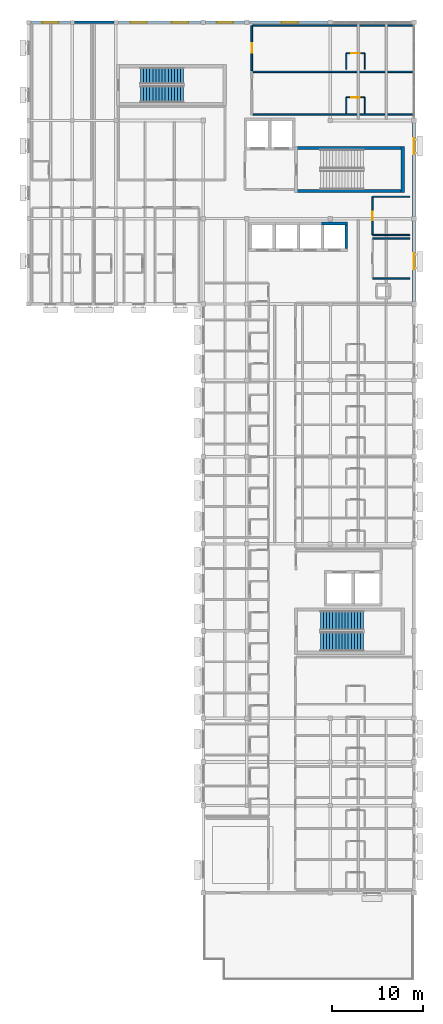
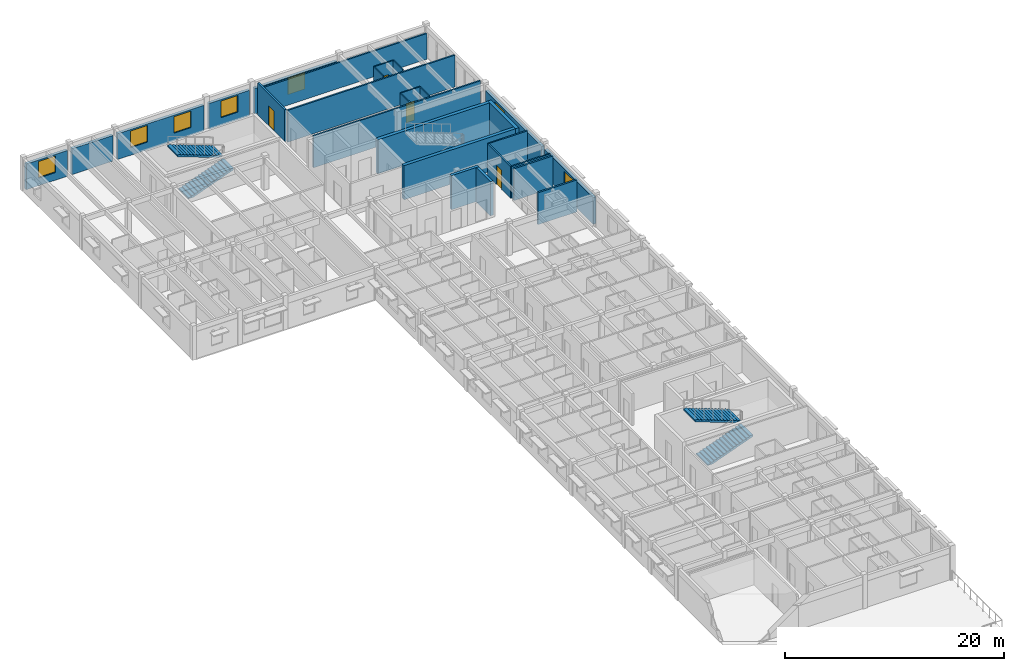
# One storey, part 15 of 22: 27 walls, 7 windows, 4 doors, 4 stair flights, 11 openings, 2 elements without a shape of their own.
"""IFC4 building model written with IfcOpenShell, lengths in metres."""

from ifc_helpers import new_model, si_unit, direction, frame, frame_2d, origin, place, context, subcontext, project, spatial, polyline, rectangle, outline, extrude, material, layer, layer_set, type_object, element, fill, aggregate, save


model = new_model("IFC4")

# Units and contexts
model_context = context("Model", 3, precision=1e-05, world=origin(), true_north=direction((0.0, 1.0)))
body_context = subcontext(model_context, "Body", "Model", "MODEL_VIEW")
ifc_project = project(units=[si_unit("LENGTHUNIT", "METRE"), si_unit("AREAUNIT", "SQUARE_METRE"), si_unit("VOLUMEUNIT", "CUBIC_METRE"), si_unit("PLANEANGLEUNIT", "RADIAN"), si_unit("MASSUNIT", "GRAM", prefix="KILO")], contexts=[model_context])

# Site, building, storey
site_placement = place(None, origin())
site = spatial("IfcSite", under=ifc_project, at=site_placement, CompositionType="ELEMENT")
building_placement = place(site_placement, origin())
building = spatial("IfcBuilding", under=site, at=building_placement, Name="Veldera Park Congress Hotel", CompositionType="ELEMENT")
storey_placement = place(building_placement, frame((0.0, 0.0, 23.800048828125)))
storey = spatial("IfcBuildingStorey", under=building, at=storey_placement, Name="L05", CompositionType="ELEMENT", Elevation=23.800048828125)

# Wall, opening, window
ifc_material_1 = material(Name="Cross-laminated timber CLT V2M1.1", Category="wood")
ifc_layer_1 = layer(ifc_material_1, 0.300048828125)
ifc_layer_set_1 = layer_set([ifc_layer_1], Name="Cross-laminated timber CLT V2M1.1")
wall_type_1 = type_object("IfcWallType", Name="EW-CLT300", PredefinedType="STANDARD", material=ifc_layer_set_1)
wall_1_placement = place(storey_placement, frame((84.0, 27.258056640625, 0.0), z_axis=(0.0, 0.0, 1.0), x_axis=(0.0, 1.0, 0.0)))
wall_1 = element("IfcWall", 1, at=wall_1_placement, inside=storey, type_object=wall_type_1, Name="L05 Exterior Wall EW3-L05-0287", PredefinedType="STANDARD", context=body_context, shape_type="SweptSolid", body=[
    extrude(rectangle(XDim=8.884033203125, YDim=0.300048828125, at=frame_2d((4.44189453125, 0.0))), origin(), (0.0, 0.0, 1.0), 2.96484375),
])
opening_1_placement = place(wall_1_placement, frame((3.5419921875, 0.0, 0.85009765625)))
opening_1 = element("IfcOpeningElement", 2, at=opening_1_placement, cuts=wall_1, Name="Opening WIN-1800", PredefinedType="OPENING", context=body_context, shape_type="SweptSolid", body=[
    extrude(rectangle(XDim=1.800048828125, YDim=1.85009765625, at=frame_2d((0.89990234375, 0.925048828125))), frame((0.0, 0.162109375, 0.0), z_axis=(0.0, -1.0, 0.0), x_axis=(1.0, 0.0, 0.0)), (0.0, 0.0, 1.0), 0.323974609375),
])
ifc_material_2 = material(Name="Low-E Triple Insulating Glass Unit (SHGC 0.22)", Category="glass")
window_type = type_object("IfcWindowType", Name="WIN-1800", PartitioningType="SINGLE_PANEL", PredefinedType="WINDOW", material=ifc_material_2)
window_1_placement = place(opening_1_placement, origin())
window_1 = element("IfcWindow", 3, at=window_1_placement, inside=storey, type_object=window_type, Name="L05 Window WIN-1800 221", OverallHeight=1.85009765625, OverallWidth=1.800048828125, PartitioningType="SINGLE_PANEL", PredefinedType="WINDOW", context=body_context, shape_type="SweptSolid", body=[
    extrude(rectangle(XDim=1.800048828125, YDim=1.85009765625, at=frame_2d((0.89990234375, 0.925048828125))), frame((0.0, 0.030029296875, 0.0), z_axis=(0.0, -1.0, 0.0), x_axis=(1.0, 0.0, 0.0)), (0.0, 0.0, 1.0), 0.06005859375),
])
fill(opening_1, window_1)

wall_2_placement = place(storey_placement, frame((84.0, 36.657958984375, 0.0), z_axis=(0.0, 0.0, 1.0), x_axis=(0.0, 1.0, 0.0)))
wall_2 = element("IfcWall", 4, at=wall_2_placement, inside=storey, type_object=wall_type_1, Name="L05 Exterior Wall EW3-L05-0288", PredefinedType="STANDARD", context=body_context, shape_type="SweptSolid", body=[
    extrude(rectangle(XDim=10.283935546875, YDim=0.300048828125, at=frame_2d((5.14208984375, 0.0))), origin(), (0.0, 0.0, 1.0), 2.96484375),
])
opening_2_placement = place(wall_2_placement, frame((6.81298828125, 0.0, 0.85009765625)))
opening_2 = element("IfcOpeningElement", 5, at=opening_2_placement, cuts=wall_2, Name="Opening WIN-1800", PredefinedType="OPENING", context=body_context, shape_type="SweptSolid", body=[
    extrude(rectangle(XDim=1.800048828125, YDim=1.85009765625, at=frame_2d((0.89990234375, 0.925048828125))), frame((0.0, 0.162109375, 0.0), z_axis=(0.0, -1.0, 0.0), x_axis=(1.0, 0.0, 0.0)), (0.0, 0.0, 1.0), 0.323974609375),
])
window_2_placement = place(opening_2_placement, origin())
window_2 = element("IfcWindow", 6, at=window_2_placement, inside=storey, type_object=window_type, Name="L05 Window WIN-1800 222", OverallHeight=1.85009765625, OverallWidth=1.800048828125, PartitioningType="SINGLE_PANEL", PredefinedType="WINDOW", context=body_context, shape_type="SweptSolid", body=[
    extrude(rectangle(XDim=1.800048828125, YDim=1.85009765625, at=frame_2d((0.89990234375, 0.925048828125))), frame((0.0, 0.030029296875, 0.0), z_axis=(0.0, -1.0, 0.0), x_axis=(1.0, 0.0, 0.0)), (0.0, 0.0, 1.0), 0.06005859375),
])
fill(opening_2, window_2)

wall_3_placement = place(storey_placement, frame((74.5419921875, 58.0, 0.0), z_axis=(0.0, 0.0, 1.0), x_axis=(-1.0, 0.0, 0.0)))
wall_3 = element("IfcWall", 7, at=wall_3_placement, inside=storey, type_object=wall_type_1, Name="L05 Exterior Wall EW3-L05-0289", PredefinedType="STANDARD", context=body_context, shape_type="SweptSolid", body=[
    extrude(rectangle(XDim=8.68408203125, YDim=0.300048828125, at=frame_2d((4.342041015625, 0.0))), origin(), (0.0, 0.0, 1.0), 2.864990234375),
])
opening_3_placement = place(wall_3_placement, frame((3.2958984375, 0.0, 0.85009765625)))
opening_3 = element("IfcOpeningElement", 8, at=opening_3_placement, cuts=wall_3, Name="Opening WIN-1800", PredefinedType="OPENING", context=body_context, shape_type="SweptSolid", body=[
    extrude(rectangle(XDim=1.800048828125, YDim=1.85009765625, at=frame_2d((0.89990234375, 0.925048828125))), frame((0.0, 0.162109375, 0.0), z_axis=(0.0, -1.0, 0.0), x_axis=(1.0, 0.0, 0.0)), (0.0, 0.0, 1.0), 0.323974609375),
])
window_3_placement = place(opening_3_placement, origin())
window_3 = element("IfcWindow", 9, at=window_3_placement, inside=storey, type_object=window_type, Name="L05 Window WIN-1800 508", OverallHeight=1.85009765625, OverallWidth=1.800048828125, PartitioningType="SINGLE_PANEL", PredefinedType="WINDOW", context=body_context, shape_type="SweptSolid", body=[
    extrude(rectangle(XDim=1.800048828125, YDim=1.85009765625, at=frame_2d((0.89990234375, 0.925048828125))), frame((0.0, 0.030029296875, 0.0), z_axis=(0.0, -1.0, 0.0), x_axis=(1.0, 0.0, 0.0)), (0.0, 0.0, 1.0), 0.06005859375),
])
fill(opening_3, window_3)

wall_4_placement = place(storey_placement, frame((65.342041015625, 58.0, 0.0), z_axis=(0.0, 0.0, 1.0), x_axis=(-1.0, 0.0, 0.0)))
wall_4 = element("IfcWall", 10, at=wall_4_placement, inside=storey, type_object=wall_type_1, Name="L05 Exterior Wall EW3-L05-0290", PredefinedType="STANDARD", context=body_context, shape_type="SweptSolid", body=[
    extrude(rectangle(XDim=4.283935546875, YDim=0.300048828125, at=frame_2d((2.14208984375, 0.0))), origin(), (0.0, 0.0, 1.0), 2.864990234375),
])
opening_4_placement = place(wall_4_placement, frame((1.241943359375, 0.0, 0.85009765625)))
opening_4 = element("IfcOpeningElement", 11, at=opening_4_placement, cuts=wall_4, Name="Opening WIN-1800", PredefinedType="OPENING", context=body_context, shape_type="SweptSolid", body=[
    extrude(rectangle(XDim=1.800048828125, YDim=1.85009765625, at=frame_2d((0.89990234375, 0.925048828125))), frame((0.0, 0.162109375, 0.0), z_axis=(0.0, -1.0, 0.0), x_axis=(1.0, 0.0, 0.0)), (0.0, 0.0, 1.0), 0.323974609375),
])
window_4_placement = place(opening_4_placement, origin())
window_4 = element("IfcWindow", 12, at=window_4_placement, inside=storey, type_object=window_type, Name="L05 Window WIN-1800 223", OverallHeight=1.85009765625, OverallWidth=1.800048828125, PartitioningType="SINGLE_PANEL", PredefinedType="WINDOW", context=body_context, shape_type="SweptSolid", body=[
    extrude(rectangle(XDim=1.800048828125, YDim=1.85009765625, at=frame_2d((0.89990234375, 0.925048828125))), frame((0.0, 0.030029296875, 0.0), z_axis=(0.0, -1.0, 0.0), x_axis=(1.0, 0.0, 0.0)), (0.0, 0.0, 1.0), 0.06005859375),
])
fill(opening_4, window_4)

# Wall, openings, windows
wall_5_placement = place(storey_placement, frame((60.5419921875, 58.0, 0.0), z_axis=(0.0, 0.0, 1.0), x_axis=(-1.0, 0.0, 0.0)))
wall_5 = element("IfcWall", 13, at=wall_5_placement, inside=storey, type_object=wall_type_1, Name="L05 Exterior Wall EW3-L05-0291", PredefinedType="STANDARD", context=body_context, shape_type="SweptSolid", body=[
    extrude(rectangle(XDim=9.118896484375, YDim=0.300048828125, at=frame_2d((4.5595703125, 0.0))), origin(), (0.0, 0.0, 1.0), 2.864990234375),
])
opening_5_placement = place(wall_5_placement, frame((1.3798828125, 0.0, 0.85009765625)))
opening_5 = element("IfcOpeningElement", 14, at=opening_5_placement, cuts=wall_5, Name="Opening WIN-1800", PredefinedType="OPENING", context=body_context, shape_type="SweptSolid", body=[
    extrude(rectangle(XDim=1.800048828125, YDim=1.85009765625, at=frame_2d((0.89990234375, 0.925048828125))), frame((0.0, 0.162109375, 0.0), z_axis=(0.0, -1.0, 0.0), x_axis=(1.0, 0.0, 0.0)), (0.0, 0.0, 1.0), 0.323974609375),
])
opening_6_placement = place(wall_5_placement, frame((5.939208984375, 0.0, 0.85009765625)))
opening_6 = element("IfcOpeningElement", 15, at=opening_6_placement, cuts=wall_5, Name="Opening WIN-1800", PredefinedType="OPENING", context=body_context, shape_type="SweptSolid", body=[
    extrude(rectangle(XDim=1.800048828125, YDim=1.85009765625, at=frame_2d((0.89990234375, 0.925048828125))), frame((0.0, 0.162109375, 0.0), z_axis=(0.0, -1.0, 0.0), x_axis=(1.0, 0.0, 0.0)), (0.0, 0.0, 1.0), 0.323974609375),
])
window_5_placement = place(opening_5_placement, origin())
window_5 = element("IfcWindow", 16, at=window_5_placement, inside=storey, type_object=window_type, Name="L05 Window WIN-1800 224", OverallHeight=1.85009765625, OverallWidth=1.800048828125, PartitioningType="SINGLE_PANEL", PredefinedType="WINDOW", context=body_context, shape_type="SweptSolid", body=[
    extrude(rectangle(XDim=1.800048828125, YDim=1.85009765625, at=frame_2d((0.89990234375, 0.925048828125))), frame((0.0, 0.030029296875, 0.0), z_axis=(0.0, -1.0, 0.0), x_axis=(1.0, 0.0, 0.0)), (0.0, 0.0, 1.0), 0.06005859375),
])
fill(opening_5, window_5)
window_6_placement = place(opening_6_placement, origin())
window_6 = element("IfcWindow", 17, at=window_6_placement, inside=storey, type_object=window_type, Name="L05 Window WIN-1800 225", OverallHeight=1.85009765625, OverallWidth=1.800048828125, PartitioningType="SINGLE_PANEL", PredefinedType="WINDOW", context=body_context, shape_type="SweptSolid", body=[
    extrude(rectangle(XDim=1.800048828125, YDim=1.85009765625, at=frame_2d((0.89990234375, 0.925048828125))), frame((0.0, 0.030029296875, 0.0), z_axis=(0.0, -1.0, 0.0), x_axis=(1.0, 0.0, 0.0)), (0.0, 0.0, 1.0), 0.06005859375),
])
fill(opening_6, window_6)

# Wall
wall_6_placement = place(storey_placement, frame((50.97705078125, 58.0, 0.0), z_axis=(0.0, 0.0, 1.0), x_axis=(-1.0, 0.0, 0.0)))
element("IfcWall", 18, at=wall_6_placement, inside=storey, type_object=wall_type_1, Name="L05 Exterior Wall EW3-L05-0292", PredefinedType="STANDARD", context=body_context, shape_type="SweptSolid", body=[
    extrude(rectangle(XDim=4.35400390625, YDim=0.300048828125, at=frame_2d((2.177001953125, 0.0))), origin(), (0.0, 0.0, 1.0), 2.864990234375),
])

# Wall, opening, window
wall_7_placement = place(storey_placement, frame((46.177001953125, 58.0, 0.0), z_axis=(0.0, 0.0, 1.0), x_axis=(-1.0, 0.0, 0.0)))
wall_7 = element("IfcWall", 19, at=wall_7_placement, inside=storey, type_object=wall_type_1, Name="L05 Exterior Wall EW3-L05-0293", PredefinedType="STANDARD", context=body_context, shape_type="SweptSolid", body=[
    extrude(rectangle(XDim=4.35400390625, YDim=0.300048828125, at=frame_2d((2.177001953125, 0.0))), origin(), (0.0, 0.0, 1.0), 2.864990234375),
])
opening_7_placement = place(wall_7_placement, frame((1.277099609375, 0.0, 0.85009765625)))
opening_7 = element("IfcOpeningElement", 20, at=opening_7_placement, cuts=wall_7, Name="Opening WIN-1800", PredefinedType="OPENING", context=body_context, shape_type="SweptSolid", body=[
    extrude(rectangle(XDim=1.800048828125, YDim=1.85009765625, at=frame_2d((0.89990234375, 0.925048828125))), frame((0.0, 0.162109375, 0.0), z_axis=(0.0, -1.0, 0.0), x_axis=(1.0, 0.0, 0.0)), (0.0, 0.0, 1.0), 0.323974609375),
])
window_7_placement = place(opening_7_placement, origin())
window_7 = element("IfcWindow", 21, at=window_7_placement, inside=storey, type_object=window_type, Name="L05 Window WIN-1800 226", OverallHeight=1.85009765625, OverallWidth=1.800048828125, PartitioningType="SINGLE_PANEL", PredefinedType="WINDOW", context=body_context, shape_type="SweptSolid", body=[
    extrude(rectangle(XDim=1.800048828125, YDim=1.85009765625, at=frame_2d((0.89990234375, 0.925048828125))), frame((0.0, 0.030029296875, 0.0), z_axis=(0.0, -1.0, 0.0), x_axis=(1.0, 0.0, 0.0)), (0.0, 0.0, 1.0), 0.06005859375),
])
fill(opening_7, window_7)

# Walls
ifc_material_3 = material(Name="Fire-Rated Gypsum Board on Cold-Formed Steel Studs", Category="steel")
ifc_layer_2 = layer(ifc_material_3, 0.1201171875)
ifc_layer_set_2 = layer_set([ifc_layer_2], Name="Fire-Rated Gypsum Board on Cold-Formed Steel Studs")
wall_type_2 = type_object("IfcWallType", Name="IW-BATH120", PredefinedType="PARTITIONING", material=ifc_layer_set_2)
for number, where, z_axis, x_axis, name in (
    (22, (76.550048828125, 48.0, 0.0), (0.0, 0.0, 1.0), (0.0, 1.0, 0.0), "L05 Partition Wall IW3-L05-01178"),
    (23, (78.60009765625, 48.0, 0.0), (0.0, 0.0, 1.0), (0.0, 1.0, 0.0), "L05 Partition Wall IW3-L05-01179"),
):
    element("IfcWall", number, at=place(storey_placement, frame(where, z_axis=z_axis, x_axis=x_axis)), inside=storey, type_object=wall_type_2, Name=name, PredefinedType="PARTITIONING", context=body_context, shape_type="SweptSolid", body=[
        extrude(rectangle(XDim=1.75, YDim=0.1201171875, at=frame_2d((0.875, 0.0))), origin(), (0.0, 0.0, 1.0), 3.550048828125),
    ])

# Wall, opening, door
wall_8_placement = place(storey_placement, frame((76.550048828125, 49.75, 0.0), z_axis=(0.0, 0.0, 1.0), x_axis=(1.0, 0.0, 0.0)))
wall_8 = element("IfcWall", 24, at=wall_8_placement, inside=storey, type_object=wall_type_2, Name="L05 Partition Wall IW3-L05-01180", PredefinedType="PARTITIONING", context=body_context, shape_type="SweptSolid", body=[
    extrude(rectangle(XDim=2.050048828125, YDim=0.1201171875, at=frame_2d((1.02490234375, 0.0))), origin(), (0.0, 0.0, 1.0), 3.550048828125),
])
opening_8_placement = place(wall_8_placement, frame((0.574951171875, 0.0, 0.0)))
opening_8 = element("IfcOpeningElement", 25, at=opening_8_placement, cuts=wall_8, Name="Opening ID-BATH090", PredefinedType="OPENING", context=body_context, shape_type="SweptSolid", body=[
    extrude(rectangle(XDim=0.89990234375, YDim=2.14990234375, at=frame_2d((0.449951171875, 1.074951171875))), frame((0.0, 0.072021484375, 0.0), z_axis=(0.0, -1.0, 0.0), x_axis=(1.0, 0.0, 0.0)), (0.0, 0.0, 1.0), 0.14404296875),
])
ifc_material_4 = material(Name="Solid Core White Oak Architectural Door", Category="wood")
door_type_1 = type_object("IfcDoorType", Name="ID-BATH090", OperationType="NOTDEFINED", PredefinedType="DOOR", material=ifc_material_4)
door_1_placement = place(opening_8_placement, origin())
door_1 = element("IfcDoor", 26, at=door_1_placement, inside=storey, type_object=door_type_1, Name="L05 En-suite 175 Door ID3-L05-0489 (DR3-ID3-L05-0489)", OperationType="SINGLE_SWING_LEFT", OverallHeight=2.14990234375, OverallWidth=0.89990234375, PredefinedType="DOOR", context=body_context, shape_type="SweptSolid", body=[
    extrude(rectangle(XDim=0.89990234375, YDim=2.14990234375, at=frame_2d((0.449951171875, 1.074951171875))), frame((0.0, 0.02490234375, 0.0), z_axis=(0.0, -1.0, 0.0), x_axis=(1.0, 0.0, 0.0)), (0.0, 0.0, 1.0), 0.050048828125),
])
fill(opening_8, door_1)

# Walls
for number, where, z_axis, x_axis, name in (
    (27, (76.550048828125, 52.85009765625, 0.0), (0.0, 0.0, 1.0), (0.0, 1.0, 0.0), "L05 Partition Wall IW3-L05-01183"),
    (28, (78.60009765625, 52.85009765625, 0.0), (0.0, 0.0, 1.0), (0.0, 1.0, 0.0), "L05 Partition Wall IW3-L05-01184"),
):
    element("IfcWall", number, at=place(storey_placement, frame(where, z_axis=z_axis, x_axis=x_axis)), inside=storey, type_object=wall_type_2, Name=name, PredefinedType="PARTITIONING", context=body_context, shape_type="SweptSolid", body=[
        extrude(rectangle(XDim=1.75, YDim=0.1201171875, at=frame_2d((0.875, 0.0))), origin(), (0.0, 0.0, 1.0), 3.550048828125),
    ])

# Wall, opening, door
wall_9_placement = place(storey_placement, frame((76.550048828125, 54.60009765625, 0.0), z_axis=(0.0, 0.0, 1.0), x_axis=(1.0, 0.0, 0.0)))
wall_9 = element("IfcWall", 29, at=wall_9_placement, inside=storey, type_object=wall_type_2, Name="L05 Partition Wall IW3-L05-01185", PredefinedType="PARTITIONING", context=body_context, shape_type="SweptSolid", body=[
    extrude(rectangle(XDim=2.050048828125, YDim=0.1201171875, at=frame_2d((1.02490234375, 0.0))), origin(), (0.0, 0.0, 1.0), 3.550048828125),
])
opening_9_placement = place(wall_9_placement, frame((0.574951171875, 0.0, 0.0)))
opening_9 = element("IfcOpeningElement", 30, at=opening_9_placement, cuts=wall_9, Name="Opening ID-BATH090", PredefinedType="OPENING", context=body_context, shape_type="SweptSolid", body=[
    extrude(rectangle(XDim=0.89990234375, YDim=2.14990234375, at=frame_2d((0.449951171875, 1.074951171875))), frame((0.0, 0.072021484375, 0.0), z_axis=(0.0, -1.0, 0.0), x_axis=(1.0, 0.0, 0.0)), (0.0, 0.0, 1.0), 0.14404296875),
])
door_2_placement = place(opening_9_placement, origin())
door_2 = element("IfcDoor", 31, at=door_2_placement, inside=storey, type_object=door_type_1, Name="L05 En-suite 176 Door ID3-L05-0491 (DR3-ID3-L05-0491)", OperationType="SINGLE_SWING_LEFT", OverallHeight=2.14990234375, OverallWidth=0.89990234375, PredefinedType="DOOR", context=body_context, shape_type="SweptSolid", body=[
    extrude(rectangle(XDim=0.89990234375, YDim=2.14990234375, at=frame_2d((0.449951171875, 1.074951171875))), frame((0.0, 0.02490234375, 0.0), z_axis=(0.0, -1.0, 0.0), x_axis=(1.0, 0.0, 0.0)), (0.0, 0.0, 1.0), 0.050048828125),
])
fill(opening_9, door_2)

# Walls
ifc_layer_3 = layer(ifc_material_3, 0.179931640625)
ifc_layer_set_3 = layer_set([ifc_layer_3], Name="Fire-Rated Gypsum Board on Cold-Formed Steel Studs")
wall_type_3 = type_object("IfcWallType", Name="IW-CORR180", PredefinedType="PARTITIONING", material=ifc_layer_set_3)
for number, where, z_axis, x_axis, name in (
    (32, (79.449951171875, 29.800048828125, 0.0), (0.0, 0.0, 1.0), (1.0, 0.0, 0.0), "L05 Partition Wall IW3-L05-00256"),
    (33, (83.550048828125, 34.199951171875, 0.0), (0.0, 0.0, 1.0), (-1.0, 0.0, 0.0), "L05 Partition Wall IW3-L05-00257"),
):
    element("IfcWall", number, at=place(storey_placement, frame(where, z_axis=z_axis, x_axis=x_axis)), inside=storey, type_object=wall_type_3, Name=name, PredefinedType="PARTITIONING", context=body_context, shape_type="SweptSolid", body=[
        extrude(rectangle(XDim=4.10009765625, YDim=0.179931640625, at=frame_2d((2.050048828125, 0.0))), origin(), (0.0, 0.0, 1.0), 3.550048828125),
    ])

# Wall, opening, door
wall_10_placement = place(storey_placement, frame((66.14990234375, 57.64990234375, 0.0), z_axis=(0.0, 0.0, 1.0), x_axis=(0.0, -1.0, 0.0)))
wall_10 = element("IfcWall", 34, at=wall_10_placement, inside=storey, type_object=wall_type_3, Name="L05 Corridor Wall IW3-L05-01181", PredefinedType="PARTITIONING", context=body_context, shape_type="SweptSolid", body=[
    extrude(rectangle(XDim=4.949951171875, YDim=0.179931640625, at=frame_2d((2.47509765625, 0.0))), origin(), (0.0, 0.0, 1.0), 3.550048828125),
])
opening_10_placement = place(wall_10_placement, frame((1.97509765625, 0.0, 0.0)))
opening_10 = element("IfcOpeningElement", 35, at=opening_10_placement, cuts=wall_10, Name="Opening ID-UNIT100", PredefinedType="OPENING", context=body_context, shape_type="SweptSolid", body=[
    extrude(rectangle(XDim=1.0, YDim=2.199951171875, at=frame_2d((0.5, 1.10009765625))), frame((0.0, 0.10205078125, 0.0), z_axis=(0.0, -1.0, 0.0), x_axis=(1.0, 0.0, 0.0)), (0.0, 0.0, 1.0), 0.203857421875),
])
door_type_2 = type_object("IfcDoorType", Name="ID-UNIT100", OperationType="NOTDEFINED", PredefinedType="DOOR", material=ifc_material_4)
door_3_placement = place(opening_10_placement, origin())
door_3 = element("IfcDoor", 36, at=door_3_placement, inside=storey, type_object=door_type_2, Name="L05 Guestroom 176 Entry Door (DR3-UD3-L05-176)", OperationType="SINGLE_SWING_RIGHT", OverallHeight=2.199951171875, OverallWidth=1.0, PredefinedType="DOOR", context=body_context, shape_type="SweptSolid", body=[
    extrude(rectangle(XDim=1.0, YDim=2.199951171875, at=frame_2d((0.5, 1.10009765625))), frame((0.0, 0.02490234375, 0.0), z_axis=(0.0, -1.0, 0.0), x_axis=(1.0, 0.0, 0.0)), (0.0, 0.0, 1.0), 0.050048828125),
])
fill(opening_10, door_3)

# Walls
ifc_layer_4 = layer(ifc_material_3, 0.14990234375)
ifc_layer_set_4 = layer_set([ifc_layer_4], Name="Fire-Rated Gypsum Board on Cold-Formed Steel Studs")
wall_type_4 = type_object("IfcWallType", Name="IW-PLMB150", PredefinedType="PLUMBINGWALL", material=ifc_layer_set_4)
for number, where, z_axis, x_axis, name in (
    (37, (79.449951171875, 34.60009765625, 0.0), (0.0, 0.0, 1.0), (1.0, 0.0, 0.0), "L05 Partition Wall IW3-L05-00259"),
    (38, (83.550048828125, 38.800048828125, 0.0), (0.0, 0.0, 1.0), (-1.0, 0.0, 0.0), "L05 Partition Wall IW3-L05-00260"),
):
    element("IfcWall", number, at=place(storey_placement, frame(where, z_axis=z_axis, x_axis=x_axis)), inside=storey, type_object=wall_type_4, Name=name, PredefinedType="PLUMBINGWALL", context=body_context, shape_type="SweptSolid", body=[
        extrude(rectangle(XDim=4.10009765625, YDim=0.14990234375, at=frame_2d((2.050048828125, 0.0))), origin(), (0.0, 0.0, 1.0), 3.550048828125),
    ])

# Wall, opening, door
wall_11_placement = place(storey_placement, frame((79.449951171875, 38.800048828125, 0.0), z_axis=(0.0, 0.0, 1.0), x_axis=(0.0, -1.0, 0.0)))
wall_11 = element("IfcWall", 39, at=wall_11_placement, inside=storey, type_object=wall_type_4, Name="L05 Partition Wall IW3-L05-00261", PredefinedType="PLUMBINGWALL", context=body_context, shape_type="SweptSolid", body=[
    extrude(rectangle(XDim=4.199951171875, YDim=0.14990234375, at=frame_2d((2.10009765625, 0.0))), origin(), (0.0, 0.0, 1.0), 3.550048828125),
])
opening_11_placement = place(wall_11_placement, frame((1.625, 0.0, 0.0)))
opening_11 = element("IfcOpeningElement", 40, at=opening_11_placement, cuts=wall_11, Name="Opening ID-WC095", PredefinedType="OPENING", context=body_context, shape_type="SweptSolid", body=[
    extrude(rectangle(XDim=0.949951171875, YDim=2.14990234375, at=frame_2d((0.47509765625, 1.074951171875))), frame((0.0, 0.0869140625, 0.0), z_axis=(0.0, -1.0, 0.0), x_axis=(1.0, 0.0, 0.0)), (0.0, 0.0, 1.0), 0.173828125),
])
door_type_3 = type_object("IfcDoorType", Name="ID-WC095", OperationType="NOTDEFINED", PredefinedType="DOOR", material=ifc_material_4)
door_4_placement = place(opening_11_placement, origin())
door_4 = element("IfcDoor", 41, at=door_4_placement, inside=storey, type_object=door_type_3, Name="L05 L05 Public Accessible WC Door ID3-L05-0095 (DR3-ID3-L05-0095)", OperationType="SINGLE_SWING_RIGHT", OverallHeight=2.14990234375, OverallWidth=0.949951171875, PredefinedType="DOOR", context=body_context, shape_type="SweptSolid", body=[
    extrude(rectangle(XDim=0.949951171875, YDim=2.14990234375, at=frame_2d((0.47509765625, 1.074951171875))), frame((0.0, 0.02490234375, 0.0), z_axis=(0.0, -1.0, 0.0), x_axis=(1.0, 0.0, 0.0)), (0.0, 0.0, 1.0), 0.050048828125),
])
fill(opening_11, door_4)

# Walls
ifc_layer_5 = layer(ifc_material_1, 0.159912109375)
ifc_layer_set_5 = layer_set([ifc_layer_5], Name="Cross-laminated timber CLT V2M1.1")
wall_type_5 = type_object("IfcWallType", Name="IW-UNIT160", PredefinedType="PARTITIONING", material=ifc_layer_set_5)
for number, where, z_axis, x_axis, name in (
    (42, (66.25, 47.85009765625, 0.0), (0.0, 0.0, 1.0), (1.0, 0.0, 0.0), "L05 Partition Wall IW3-L05-01176"),
    (43, (66.25, 52.550048828125, 0.0), (0.0, 0.0, 1.0), (1.0, 0.0, 0.0), "L05 Partition Wall IW3-L05-01177"),
):
    element("IfcWall", number, at=place(storey_placement, frame(where, z_axis=z_axis, x_axis=x_axis)), inside=storey, type_object=wall_type_5, Name=name, PredefinedType="PARTITIONING", context=body_context, shape_type="SweptSolid", body=[
        extrude(rectangle(XDim=17.590087890625, YDim=0.159912109375, at=frame_2d((8.794921875, 0.0))), origin(), (0.0, 0.0, 1.0), 3.550048828125),
    ])
wall_12_placement = place(storey_placement, frame((66.25, 57.64990234375, 0.0), z_axis=(0.0, 0.0, 1.0), x_axis=(1.0, 0.0, 0.0)))
element("IfcWall", 44, at=wall_12_placement, inside=storey, type_object=wall_type_5, Name="L05 Partition Wall IW3-L05-01182", PredefinedType="PARTITIONING", context=body_context, shape_type="SweptSolid", body=[
    extrude(rectangle(XDim=17.590087890625, YDim=0.159912109375, at=frame_2d((8.794921875, 0.0))), origin(), (0.0, 0.0, 1.0), 2.864990234375),
])
ifc_material_5 = material(Name="Concrete f'c 40 MPa (5,800 psi)", Category="concrete")
ifc_layer_6 = layer(ifc_material_5, 0.35009765625)
ifc_layer_set_6 = layer_set([ifc_layer_6], Name="Concrete f'c 40 MPa (5,800 psi)")
wall_type_6 = type_object("IfcWallType", Name="SW-CORE350", PredefinedType="SHEAR", material=ifc_layer_set_6)
wall_13_placement = place(storey_placement, frame((70.85009765625, 39.425048828125, 0.0), z_axis=(0.0, 0.0, 1.0), x_axis=(1.0, 0.0, 0.0)))
element("IfcWall", 45, at=wall_13_placement, inside=storey, type_object=wall_type_6, Name="Stair ST1 Core Wall L05-S", PredefinedType="SHEAR", context=body_context, shape_type="SweptSolid", body=[
    extrude(rectangle(XDim=12.099853515625, YDim=0.35009765625, at=frame_2d((6.0498046875, 0.0))), origin(), (0.0, 0.0, 1.0), 3.800048828125),
])
wall_14_placement = place(storey_placement, frame((82.77490234375, 39.25, 0.0), z_axis=(0.0, 0.0, 1.0), x_axis=(0.0, 1.0, 0.0)))
element("IfcWall", 46, at=wall_14_placement, inside=storey, type_object=wall_type_6, Name="Stair ST1 Core Wall L05-E", PredefinedType="SHEAR", context=body_context, shape_type="SweptSolid", body=[
    extrude(rectangle(XDim=5.10009765625, YDim=0.35009765625, at=frame_2d((2.550048828125, 0.0))), origin(), (0.0, 0.0, 1.0), 3.800048828125),
])
wall_15_placement = place(storey_placement, frame((82.949951171875, 44.175048828125, 0.0), z_axis=(0.0, 0.0, 1.0), x_axis=(-1.0, 0.0, 0.0)))
element("IfcWall", 47, at=wall_15_placement, inside=storey, type_object=wall_type_6, Name="Stair ST1 Core Wall L05-N", PredefinedType="SHEAR", context=body_context, shape_type="SweptSolid", body=[
    extrude(rectangle(XDim=12.099853515625, YDim=0.35009765625, at=frame_2d((6.0498046875, 0.0))), origin(), (0.0, 0.0, 1.0), 3.800048828125),
])
ifc_layer_7 = layer(ifc_material_5, 0.300048828125)
ifc_layer_set_7 = layer_set([ifc_layer_7], Name="Concrete f'c 40 MPa (5,800 psi)")
wall_type_7 = type_object("IfcWallType", Name="SW-SHFT300", PredefinedType="SHEAR", material=ifc_layer_set_7)
wall_16_placement = place(storey_placement, frame((76.699951171875, 35.85009765625, 0.0), z_axis=(0.0, 0.0, 1.0), x_axis=(-1.0, 0.0, 0.0)))
element("IfcWall", 48, at=wall_16_placement, inside=storey, type_object=wall_type_7, Name="Lift PL-04 Shaft Wall L05-N", PredefinedType="SHEAR", context=body_context, shape_type="SweptSolid", body=[
    extrude(rectangle(XDim=2.89990234375, YDim=0.300048828125, at=frame_2d((1.449951171875, 0.0))), origin(), (0.0, 0.0, 1.0), 3.800048828125),
])
wall_17_placement = place(storey_placement, frame((76.550048828125, 33.10009765625, 0.0), z_axis=(0.0, 0.0, 1.0), x_axis=(0.0, 1.0, 0.0)))
element("IfcWall", 49, at=wall_17_placement, inside=storey, type_object=wall_type_7, Name="Lift PL-04 Shaft Wall L05-E", PredefinedType="SHEAR", context=body_context, shape_type="SweptSolid", body=[
    extrude(rectangle(XDim=2.599853515625, YDim=0.300048828125, at=frame_2d((1.2998046875, 0.0))), origin(), (0.0, 0.0, 1.0), 3.800048828125),
])

# Stair, stair flights
stair_type_1 = type_object("IfcStairType", Name="ST2", PredefinedType="HALF_TURN_STAIR", material=ifc_material_5)
stair_1_placement = place(storey_placement, origin())
stair_1 = element("IfcStair", 50, at=stair_1_placement, inside=storey, type_object=stair_type_1, Name="L05 Protected Exit Stair ST2", PredefinedType="HALF_TURN_STAIR")
stair_flight_type_1 = type_object("IfcStairFlightType", Name="SFL-ST2", PredefinedType="STRAIGHT", material=ifc_material_5)
stair_flight_1_placement = place(storey_placement, frame((73.699951171875, -10.14990234375, 0.0), z_axis=(0.0, 0.0, 1.0), x_axis=(1.0, 0.0, 0.0)))
stair_flight_1 = element("IfcStairFlight", 51, at=stair_flight_1_placement, type_object=stair_flight_type_1, Name="ST2 flight 1", NumberOfRisers=15, NumberOfTreads=14, PredefinedType="STRAIGHT", RiserHeight=0.126666667, TreadLength=0.34, context=body_context, shape_type="SweptSolid", body=[
    extrude(outline(polyline([(0.0, 0.0), (0.0, 0.126708984375), (0.340087890625, 0.126708984375), (0.340087890625, 0.25341796875), (0.679931640625, 0.25341796875), (0.679931640625, 0.3798828125), (1.02001953125, 0.3798828125), (1.02001953125, 0.506591796875), (1.360107421875, 0.506591796875), (1.360107421875, 0.63330078125), (1.699951171875, 0.63330078125), (1.699951171875, 0.760009765625), (2.0400390625, 0.760009765625), (2.0400390625, 0.88671875), (2.3798828125, 0.88671875), (2.3798828125, 1.013427734375), (2.719970703125, 1.013427734375), (2.719970703125, 1.139892578125), (3.06005859375, 1.139892578125), (3.06005859375, 1.2666015625), (3.39990234375, 1.2666015625), (3.39990234375, 1.393310546875), (3.739990234375, 1.393310546875), (3.739990234375, 1.52001953125), (4.080078125, 1.52001953125), (4.080078125, 1.646728515625), (4.419921875, 1.646728515625), (4.419921875, 1.7734375), (4.760009765625, 1.7734375), (4.760009765625, 1.89990234375), (4.760009765625, 1.89990234375), (4.760009765625, 1.581298828125), (0.515380859375, 0.0), (0.0, 0.0)])), frame((0.0, 1.050048828125, 0.0), z_axis=(0.0, -1.0, 0.0), x_axis=(1.0, 0.0, 0.0)), (0.0, 0.0, 1.0), 2.10009765625),
])
stair_flight_2_placement = place(storey_placement, frame((78.4599609375, -7.85009765625, 1.89990234375), z_axis=(0.0, 0.0, 1.0), x_axis=(-1.0, 0.0, 0.0)))
stair_flight_2 = element("IfcStairFlight", 52, at=stair_flight_2_placement, type_object=stair_flight_type_1, Name="ST2 flight 2", NumberOfRisers=15, NumberOfTreads=14, PredefinedType="STRAIGHT", RiserHeight=0.126666667, TreadLength=0.34, context=body_context, shape_type="SweptSolid", body=[
    extrude(outline(polyline([(0.0, 0.0), (0.0, 0.126708984375), (0.340087890625, 0.126708984375), (0.340087890625, 0.25341796875), (0.679931640625, 0.25341796875), (0.679931640625, 0.3798828125), (1.02001953125, 0.3798828125), (1.02001953125, 0.506591796875), (1.360107421875, 0.506591796875), (1.360107421875, 0.63330078125), (1.699951171875, 0.63330078125), (1.699951171875, 0.760009765625), (2.0400390625, 0.760009765625), (2.0400390625, 0.88671875), (2.3798828125, 0.88671875), (2.3798828125, 1.013427734375), (2.719970703125, 1.013427734375), (2.719970703125, 1.139892578125), (3.06005859375, 1.139892578125), (3.06005859375, 1.2666015625), (3.39990234375, 1.2666015625), (3.39990234375, 1.393310546875), (3.739990234375, 1.393310546875), (3.739990234375, 1.52001953125), (4.080078125, 1.52001953125), (4.080078125, 1.646728515625), (4.419921875, 1.646728515625), (4.419921875, 1.7734375), (4.760009765625, 1.7734375), (4.760009765625, 1.89990234375), (4.760009765625, 1.89990234375), (4.760009765625, 1.581298828125), (0.515380859375, 0.0), (0.0, 0.0)])), frame((0.0, 1.050048828125, 0.0), z_axis=(0.0, -1.0, 0.0), x_axis=(1.0, 0.0, 0.0)), (0.0, 0.0, 1.0), 2.10009765625),
])
aggregate(stair_1, [stair_flight_1, stair_flight_2])

stair_type_2 = type_object("IfcStairType", Name="ST3", PredefinedType="HALF_TURN_STAIR", material=ifc_material_5)
stair_2_placement = place(storey_placement, origin())
stair_2 = element("IfcStair", 53, at=stair_2_placement, inside=storey, type_object=stair_type_2, Name="L05 Protected Exit Stair ST3", PredefinedType="HALF_TURN_STAIR")
stair_flight_type_2 = type_object("IfcStairFlightType", Name="SFL-ST3", PredefinedType="STRAIGHT", material=ifc_material_5)
stair_flight_3_placement = place(storey_placement, frame((53.89990234375, 50.10009765625, 0.0), z_axis=(0.0, 0.0, 1.0), x_axis=(1.0, 0.0, 0.0)))
stair_flight_3 = element("IfcStairFlight", 54, at=stair_flight_3_placement, type_object=stair_flight_type_2, Name="ST3 flight 1", NumberOfRisers=15, NumberOfTreads=14, PredefinedType="STRAIGHT", RiserHeight=0.126666667, TreadLength=0.34, context=body_context, shape_type="SweptSolid", body=[
    extrude(outline(polyline([(0.0, 0.0), (0.0, 0.126708984375), (0.340087890625, 0.126708984375), (0.340087890625, 0.25341796875), (0.679931640625, 0.25341796875), (0.679931640625, 0.3798828125), (1.02001953125, 0.3798828125), (1.02001953125, 0.506591796875), (1.360107421875, 0.506591796875), (1.360107421875, 0.63330078125), (1.699951171875, 0.63330078125), (1.699951171875, 0.760009765625), (2.0400390625, 0.760009765625), (2.0400390625, 0.88671875), (2.3798828125, 0.88671875), (2.3798828125, 1.013427734375), (2.719970703125, 1.013427734375), (2.719970703125, 1.139892578125), (3.06005859375, 1.139892578125), (3.06005859375, 1.2666015625), (3.39990234375, 1.2666015625), (3.39990234375, 1.393310546875), (3.739990234375, 1.393310546875), (3.739990234375, 1.52001953125), (4.080078125, 1.52001953125), (4.080078125, 1.646728515625), (4.419921875, 1.646728515625), (4.419921875, 1.7734375), (4.760009765625, 1.7734375), (4.760009765625, 1.89990234375), (4.760009765625, 1.89990234375), (4.760009765625, 1.581298828125), (0.515380859375, 0.0), (0.0, 0.0)])), frame((0.0, 0.89990234375, 0.0), z_axis=(0.0, -1.0, 0.0), x_axis=(1.0, 0.0, 0.0)), (0.0, 0.0, 1.0), 1.800048828125),
])
stair_flight_4_placement = place(storey_placement, frame((58.659912109375, 52.10009765625, 1.89990234375), z_axis=(0.0, 0.0, 1.0), x_axis=(-1.0, 0.0, 0.0)))
stair_flight_4 = element("IfcStairFlight", 55, at=stair_flight_4_placement, type_object=stair_flight_type_2, Name="ST3 flight 2", NumberOfRisers=15, NumberOfTreads=14, PredefinedType="STRAIGHT", RiserHeight=0.126666667, TreadLength=0.34, context=body_context, shape_type="SweptSolid", body=[
    extrude(outline(polyline([(0.0, 0.0), (0.0, 0.126708984375), (0.340087890625, 0.126708984375), (0.340087890625, 0.25341796875), (0.679931640625, 0.25341796875), (0.679931640625, 0.3798828125), (1.02001953125, 0.3798828125), (1.02001953125, 0.506591796875), (1.360107421875, 0.506591796875), (1.360107421875, 0.63330078125), (1.699951171875, 0.63330078125), (1.699951171875, 0.760009765625), (2.0400390625, 0.760009765625), (2.0400390625, 0.88671875), (2.3798828125, 0.88671875), (2.3798828125, 1.013427734375), (2.719970703125, 1.013427734375), (2.719970703125, 1.139892578125), (3.06005859375, 1.139892578125), (3.06005859375, 1.2666015625), (3.39990234375, 1.2666015625), (3.39990234375, 1.393310546875), (3.739990234375, 1.393310546875), (3.739990234375, 1.52001953125), (4.080078125, 1.52001953125), (4.080078125, 1.646728515625), (4.419921875, 1.646728515625), (4.419921875, 1.7734375), (4.760009765625, 1.7734375), (4.760009765625, 1.89990234375), (4.760009765625, 1.89990234375), (4.760009765625, 1.581298828125), (0.515380859375, 0.0), (0.0, 0.0)])), frame((0.0, 0.89990234375, 0.0), z_axis=(0.0, -1.0, 0.0), x_axis=(1.0, 0.0, 0.0)), (0.0, 0.0, 1.0), 1.800048828125),
])
aggregate(stair_2, [stair_flight_3, stair_flight_4])

save(model, "model.ifc")
